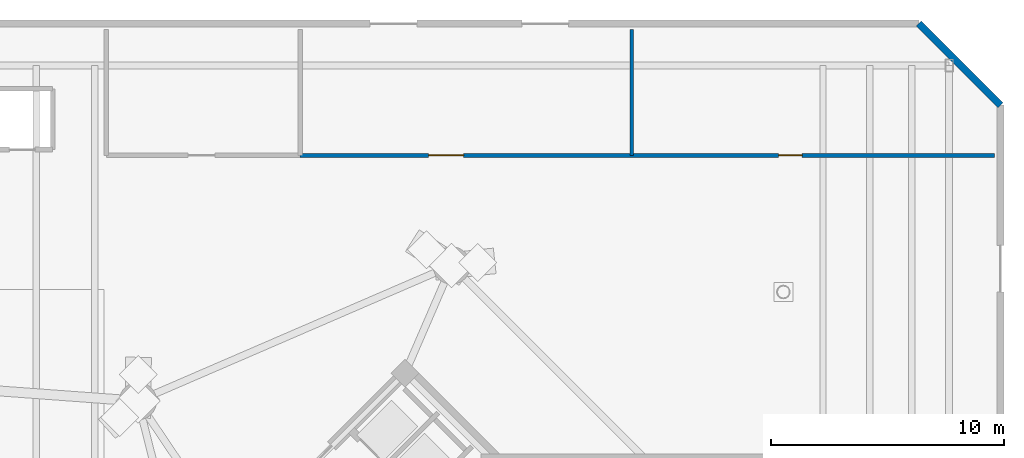
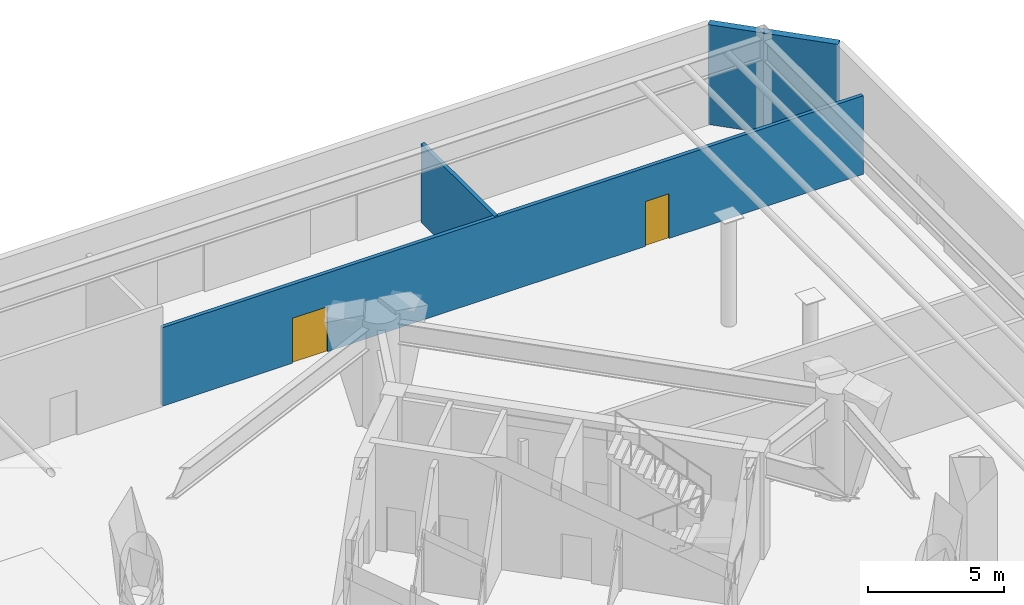
# One storey, part 10 of 17: 3 walls, 2 doors, 2 openings.
"""IFC4 building model written with IfcOpenShell, lengths in metres."""

import ifcopenshell
import ifcopenshell.guid

model = None  # the IFC model being written
_history = None  # IfcOwnerHistory: only IFC2X3 demands one
_inside = {}  # id of a spatial element -> (the spatial element, [elements in it])
_under = {}  # id of a project, library or spatial element -> (it, [spatial elements below it])
_declared = {}  # id of a project -> (the project, [libraries it declares])
_typed = {}  # id of a type object -> (the type object, [elements of that type])
_made_of = {}  # id of a material, layer set ... -> (it, [elements and type objects made of it])


def new_model(schema):
    """Start an empty IFC model of exactly this schema.

    Asked for "IFC4X3", IfcOpenShell would pick the latest addendum, in which some entities
    have other attributes; the version numbers below select the first issue.
    IFC2X3 requires an IfcOwnerHistory on every rooted entity: one is made here for all.
    """
    global model, _history
    if schema == "IFC4X3":
        model = ifcopenshell.file(schema_version=(4, 3, 0, 0))
    else:
        model = ifcopenshell.file(schema=schema)
    _inside.clear()
    _under.clear()
    _declared.clear()
    _typed.clear()
    _made_of.clear()
    _history = None
    if model.schema == "IFC2X3":
        org = make("IfcOrganization", Name="unknown")
        user = make(
            "IfcPersonAndOrganization",
            ThePerson=make("IfcPerson", FamilyName="unknown"),
            TheOrganization=org,
        )
        app = make(
            "IfcApplication",
            ApplicationDeveloper=org,
            Version="unknown",
            ApplicationFullName="unknown",
            ApplicationIdentifier="unknown",
        )
        _history = make(
            "IfcOwnerHistory",
            OwningUser=user,
            OwningApplication=app,
            ChangeAction="ADDED",
            CreationDate=0,
        )
    return model


def make(cls, **values):
    """One entity of the class cls with the attributes given. An attribute that is None is left unset."""
    return model.create_entity(
        cls, **{name: value for name, value in values.items() if value is not None}
    )


def rooted(cls, **values):
    """An entity with a GlobalId (a new one), such as an element, a storey or a relation."""
    return make(cls, GlobalId=ifcopenshell.guid.new(), OwnerHistory=_history, **values)


def si_unit(unit_type, name, prefix=None):
    """IfcSIUnit, for example si_unit("LENGTHUNIT", "METRE", prefix="MILLI")."""
    return make("IfcSIUnit", UnitType=unit_type, Prefix=prefix, Name=name)


def assignment(units):
    """IfcUnitAssignment: the units of a project."""
    return None if units is None else make("IfcUnitAssignment", Units=units)


def point(xyz):
    """IfcCartesianPoint."""
    return None if xyz is None else make("IfcCartesianPoint", Coordinates=xyz)


def direction(xyz):
    """IfcDirection."""
    return None if xyz is None else make("IfcDirection", DirectionRatios=xyz)


def frame(location, z_axis=None, x_axis=None):
    """IfcAxis2Placement3D, a coordinate frame: its origin and axes. An axis left out is left unset."""
    return make(
        "IfcAxis2Placement3D",
        Location=point(location),
        Axis=direction(z_axis),
        RefDirection=direction(x_axis),
    )


def frame_2d(location, x_axis=None):
    """IfcAxis2Placement2D, a coordinate frame in the plane: its origin and x axis."""
    return make(
        "IfcAxis2Placement2D", Location=point(location), RefDirection=direction(x_axis)
    )


def origin():
    """The frame at (0, 0, 0) with its axes left unset."""
    return frame((0.0, 0.0, 0.0))


def place(relative_to, where):
    """IfcLocalPlacement: puts the frame where relative to a parent placement (None: the world)."""
    return make(
        "IfcLocalPlacement", PlacementRelTo=relative_to, RelativePlacement=where
    )


def context(
    kind, dimensions, precision=None, world=None, true_north=None, identifier=None
):
    """IfcGeometricRepresentationContext, for example the 3D "Model" context."""
    return make(
        "IfcGeometricRepresentationContext",
        ContextIdentifier=identifier,
        ContextType=kind,
        CoordinateSpaceDimension=dimensions,
        Precision=precision,
        WorldCoordinateSystem=world,
        TrueNorth=true_north,
    )


def subcontext(parent, identifier, kind, view, scale=None):
    """IfcGeometricRepresentationSubContext, for example "Body" below "Model"."""
    return make(
        "IfcGeometricRepresentationSubContext",
        ContextIdentifier=identifier,
        ContextType=kind,
        ParentContext=parent,
        TargetScale=scale,
        TargetView=view,
    )


def project(units=None, contexts=None):
    """IfcProject with its units and contexts."""
    return rooted(
        "IfcProject",
        Name="project",
        RepresentationContexts=contexts,
        UnitsInContext=assignment(units),
    )


def spatial(cls, under=None, at=None, **own):
    """A site, building, storey or space (cls), placed at a placement, below another one or the project."""
    s = rooted(cls, ObjectPlacement=at, **own)
    if under is not None:
        _under.setdefault(under.id(), (under, []))[1].append(s)
    return s


def profile(cls, at=None, kind="AREA", **sizes):
    """A parametric profile (cls). Its sizes go by their IFC names, for example OverallWidth=200.0."""
    return make(cls, ProfileType=kind, Position=at, **sizes)


def rectangle(**sizes):
    """IfcRectangleProfileDef."""
    return profile("IfcRectangleProfileDef", **sizes)


def extrude(swept, where, along, depth):
    """IfcExtrudedAreaSolid: the profile swept, set in the frame where, extruded along a direction by depth."""
    return make(
        "IfcExtrudedAreaSolid",
        SweptArea=swept,
        Position=where,
        ExtrudedDirection=direction(along),
        Depth=depth,
    )


def shape(context_of_items, identifier, shape_type, items):
    """IfcShapeRepresentation: the items that make up one representation, for example the "Body"."""
    return make(
        "IfcShapeRepresentation",
        ContextOfItems=context_of_items,
        RepresentationIdentifier=identifier,
        RepresentationType=shape_type,
        Items=items,
    )


def source(mapping_origin, context_of_items, identifier, shape_type, items):
    """IfcRepresentationMap: a shape defined once, which mapped items show again and again."""
    return make(
        "IfcRepresentationMap",
        MappingOrigin=mapping_origin,
        MappedRepresentation=shape(context_of_items, identifier, shape_type, items),
    )


def transform(
    local_origin,
    x_axis=None,
    y_axis=None,
    z_axis=None,
    scale=None,
    scale2=None,
    scale3=None,
    uniform=True,
):
    """IfcCartesianTransformationOperator3D, or its non-uniform kind. x_axis, y_axis, z_axis: its Axis1, 2, 3."""
    if uniform:
        return make(
            "IfcCartesianTransformationOperator3D",
            Axis1=direction(x_axis),
            Axis2=direction(y_axis),
            LocalOrigin=point(local_origin),
            Scale=scale,
            Axis3=direction(z_axis),
        )
    return make(
        "IfcCartesianTransformationOperator3DnonUniform",
        Axis1=direction(x_axis),
        Axis2=direction(y_axis),
        LocalOrigin=point(local_origin),
        Scale=scale,
        Axis3=direction(z_axis),
        Scale2=scale2,
        Scale3=scale3,
    )


def mapped(mapping_source, mapping_target):
    """IfcMappedItem: shows the shape of a source again, moved by a transform."""
    return make(
        "IfcMappedItem", MappingSource=mapping_source, MappingTarget=mapping_target
    )


def material(Name=None, Category=None):
    """IfcMaterial."""
    return make("IfcMaterial", Name=Name, Category=Category)


def layer(
    of_material, thickness, ventilated=None, Name=None, Category=None, Priority=None
):
    """IfcMaterialLayer: one layer of a wall or slab, of a material (None: an air gap)."""
    return make(
        "IfcMaterialLayer",
        Material=of_material,
        LayerThickness=thickness,
        IsVentilated=ventilated,
        Name=Name,
        Category=Category,
        Priority=Priority,
    )


def layer_set(layers, Name=None):
    """IfcMaterialLayerSet."""
    return make("IfcMaterialLayerSet", MaterialLayers=layers, LayerSetName=Name)


def made_of(thing, what):
    """Note that an element or type object is made of a material, layer set ...; save() writes the relation."""
    if what is not None:
        _made_of.setdefault(what.id(), (what, []))[1].append(thing)
    return thing


def type_object(cls, material=None, **own):
    """A type object (cls), such as IfcWallType, which elements share."""
    return made_of(rooted(cls, **own), material)


def element(
    cls,
    number,
    at=None,
    inside=None,
    cuts=None,
    type_object=None,
    material=None,
    context=None,
    identifier="Body",
    shape_type=None,
    held_by="IfcProductDefinitionShape",
    body=None,
    shapes=None,
    **own,
):
    """One element of the class cls, such as IfcWall. Its Tag is "e" and its number.

    at: its placement. inside: the storey or other place that contains it. cuts: it is an
    opening in that element (IfcRelVoidsElement). A single representation is given by context,
    identifier, shape_type and body (its items); several are given by shapes. held_by: the class
    of the entity that holds the representations. save() writes the other relations.
    """
    e = rooted(cls, Tag="e%d" % number, ObjectPlacement=at, **own)
    if body is not None:
        shapes = [shape(context, identifier, shape_type, body)]
    if shapes is not None:
        e.Representation = make(held_by, Representations=shapes)
    if inside is not None:
        _inside.setdefault(inside.id(), (inside, []))[1].append(e)
    if cuts is not None:
        rooted(
            "IfcRelVoidsElement", RelatingBuildingElement=cuts, RelatedOpeningElement=e
        )
    if type_object is not None:
        _typed.setdefault(type_object.id(), (type_object, []))[1].append(e)
    return made_of(e, material)


def fill(opening, filler):
    """IfcRelFillsElement: the door or window that sits in an opening."""
    return rooted(
        "IfcRelFillsElement",
        RelatingOpeningElement=opening,
        RelatedBuildingElement=filler,
    )


def aggregate(whole, parts):
    """IfcRelAggregates: a whole, such as a stair, and the parts it consists of."""
    return rooted("IfcRelAggregates", RelatingObject=whole, RelatedObjects=parts)


def save(model, path):
    """Write the relations noted so far, then the file.

    IfcRelAggregates (storeys below a building ...), IfcRelContainedInSpatialStructure (elements
    in a storey), IfcRelDefinesByType, IfcRelAssociatesMaterial and IfcRelDeclares: one each for
    every whole, place, type object, material and project.
    """
    for whole, parts in _under.values():
        aggregate(whole, parts)
    for where, things in _inside.values():
        rooted(
            "IfcRelContainedInSpatialStructure",
            RelatedElements=things,
            RelatingStructure=where,
        )
    for kind, things in _typed.values():
        rooted("IfcRelDefinesByType", RelatedObjects=things, RelatingType=kind)
    for what, things in _made_of.values():
        rooted("IfcRelAssociatesMaterial", RelatedObjects=things, RelatingMaterial=what)
    for by, libraries in _declared.values():
        rooted("IfcRelDeclares", RelatingContext=by, RelatedDefinitions=libraries)
    model.write(path)


model = new_model("IFC4")

# Units and contexts
model_context = context("Model", 3, precision=1e-05, world=origin(), true_north=direction((0.0, 1.0)))
body_context = subcontext(model_context, "Body", "Model", "MODEL_VIEW")
ifc_project = project(units=[si_unit("LENGTHUNIT", "METRE"), si_unit("AREAUNIT", "SQUARE_METRE"), si_unit("VOLUMEUNIT", "CUBIC_METRE"), si_unit("PLANEANGLEUNIT", "RADIAN"), si_unit("MASSUNIT", "GRAM", prefix="KILO")], contexts=[model_context])

# Site, building, storey
site_placement = place(None, origin())
site = spatial("IfcSite", under=ifc_project, at=site_placement, CompositionType="ELEMENT")
building_placement = place(site_placement, origin())
building = spatial("IfcBuilding", under=site, at=building_placement, Name="Cununo Teusaquillo Station Towers", CompositionType="ELEMENT")
storey_placement = place(building_placement, origin())
storey = spatial("IfcBuildingStorey", under=building, at=storey_placement, Name="L00", CompositionType="ELEMENT", Elevation=0.0)

# Wall
ifc_material_1 = material(Name="Precast concrete C40/50", Category="concrete")
ifc_layer_1 = layer(ifc_material_1, 0.300048828125)
ifc_layer_set_1 = layer_set([ifc_layer_1], Name="Precast concrete C40/50")
wall_type_1 = type_object("IfcWallType", Name="WL-EXT-300", PredefinedType="SOLIDWALL", material=ifc_layer_set_1)
wall_1_placement = place(storey_placement, frame((78.300048828125, 48.0, 0.0), z_axis=(0.0, 0.0, 1.0), x_axis=(0.707106781187, -0.707106781187, 0.0)))
element("IfcWall", 1, at=wall_1_placement, inside=storey, type_object=wall_type_1, Name="L00 Station Podium Facade Wall 4", PredefinedType="SOLIDWALL", context=body_context, shape_type="SweptSolid", body=[
    extrude(rectangle(XDim=4.94970703125, YDim=0.300048828125, at=frame_2d((2.474853515625, 0.0))), origin(), (0.0, 0.0, 1.0), 4.485107421875),
])

# Wall, openings, doors
ifc_material_2 = material(Name="Fire-rated gypsum plasterboard partition assembly", Category="gypsum")
ifc_layer_2 = layer(ifc_material_2, 0.159912109375)
ifc_layer_set_2 = layer_set([ifc_layer_2], Name="Fire-rated gypsum plasterboard partition assembly")
wall_type_2 = type_object("IfcWallType", Name="WL-PART-160", PredefinedType="PARTITIONING", material=ifc_layer_set_2)
wall_2_placement = place(storey_placement, frame((51.800048828125, 42.35009765625, 0.0), z_axis=(0.0, 0.0, 1.0), x_axis=(1.0, 0.0, 0.0)))
wall_2 = element("IfcWall", 2, at=wall_2_placement, inside=storey, type_object=wall_type_2, Name="L00 Station Ticketing & Retail Wall", PredefinedType="PARTITIONING", context=body_context, shape_type="SweptSolid", body=[
    extrude(rectangle(XDim=29.75, YDim=0.159912109375, at=frame_2d((14.875, 0.0))), origin(), (0.0, 0.0, 1.0), 3.529052734375),
])
shared_shape_1 = source(origin(), body_context, "Body", "SweptSolid", [
    extrude(rectangle(XDim=1.5, YDim=2.02001953125, at=frame_2d((0.75, 1.010009765625))), frame((0.0, 0.08984375, 0.0), z_axis=(0.0, -1.0, 0.0), x_axis=(1.0, 0.0, 0.0)), (0.0, 0.0, 1.0), 0.179931640625),
])
opening_1_placement = place(wall_2_placement, frame((5.5, 0.0, 0.0)))
opening_1 = element("IfcOpeningElement", 3, at=opening_1_placement, cuts=wall_2, Name="Opening D-LB1", PredefinedType="OPENING", context=body_context, shape_type="MappedRepresentation", body=[
    mapped(shared_shape_1, transform((0.0, 0.0, 0.0), x_axis=(1.0, 0.0, 0.0), y_axis=(0.0, 1.0, 0.0), z_axis=(0.0, 0.0, 1.0), scale=1.0)),
])
shared_shape_2 = source(origin(), body_context, "Body", "SweptSolid", [
    extrude(rectangle(XDim=1.0, YDim=2.014892578125, at=frame_2d((0.5, 1.00732421875))), frame((0.0, 0.08984375, 0.0), z_axis=(0.0, -1.0, 0.0), x_axis=(1.0, 0.0, 0.0)), (0.0, 0.0, 1.0), 0.179931640625),
])
opening_2_placement = place(wall_2_placement, frame((20.5, 0.0, 0.0)))
opening_2 = element("IfcOpeningElement", 4, at=opening_2_placement, cuts=wall_2, Name="Opening D-AC1", PredefinedType="OPENING", context=body_context, shape_type="MappedRepresentation", body=[
    mapped(shared_shape_2, transform((0.0, 0.0, 0.0), x_axis=(1.0, 0.0, 0.0), y_axis=(0.0, 1.0, 0.0), z_axis=(0.0, 0.0, 1.0), scale=1.0)),
])
ifc_material_3 = material(Name="Galvanised fire-rated hollow steel door assembly", Category="steel")
door_type_1 = type_object("IfcDoorType", Name="DR-LOBBY-1500", OperationType="DOUBLE_DOOR_SINGLE_SWING", PredefinedType="DOOR", material=ifc_material_3)
shared_shape_3 = source(origin(), body_context, "Body", "SweptSolid", [
    extrude(rectangle(XDim=1.5, YDim=2.02001953125, at=frame_2d((0.75, 1.010009765625))), frame((0.0, 0.02490234375, 0.0), z_axis=(0.0, -1.0, 0.0), x_axis=(1.0, 0.0, 0.0)), (0.0, 0.0, 1.0), 0.050048828125),
])
door_1_placement = place(opening_1_placement, origin())
door_1 = element("IfcDoor", 5, at=door_1_placement, inside=storey, type_object=door_type_1, Name="Metro Fare-Gate & Ticketing Office Door", OperationType="DOUBLE_DOOR_SINGLE_SWING", OverallHeight=2.02001953125, OverallWidth=1.5, PredefinedType="DOOR", context=body_context, shape_type="MappedRepresentation", body=[
    mapped(shared_shape_3, transform((0.0, 0.0, 0.0), x_axis=(1.0, 0.0, 0.0), y_axis=(0.0, 1.0, 0.0), z_axis=(0.0, 0.0, 1.0), scale=1.0)),
])
fill(opening_1, door_1)
ifc_material_4 = material(Name="Acoustic solid-core hardwood leaf assembly", Category="wood")
door_type_2 = type_object("IfcDoorType", Name="DR-ACC-1000", OperationType="NOTDEFINED", PredefinedType="DOOR", material=ifc_material_4)
shared_shape_4 = source(origin(), body_context, "Body", "SweptSolid", [
    extrude(rectangle(XDim=1.0, YDim=2.014892578125, at=frame_2d((0.5, 1.00732421875))), frame((0.0, 0.02490234375, 0.0), z_axis=(0.0, -1.0, 0.0), x_axis=(1.0, 0.0, 0.0)), (0.0, 0.0, 1.0), 0.050048828125),
])
door_2_placement = place(opening_2_placement, origin())
door_2 = element("IfcDoor", 6, at=door_2_placement, inside=storey, type_object=door_type_2, Name="Station Concourse Public Accessible Restroom Door", OperationType="SINGLE_SWING_LEFT", OverallHeight=2.014892578125, OverallWidth=1.0, PredefinedType="DOOR", context=body_context, shape_type="MappedRepresentation", body=[
    mapped(shared_shape_4, transform((0.0, 0.0, 0.0), x_axis=(1.0, 0.0, 0.0), y_axis=(0.0, 1.0, 0.0), z_axis=(0.0, 0.0, 1.0), scale=1.0)),
])
fill(opening_2, door_2)

# Wall
wall_3_placement = place(storey_placement, frame((66.0, 42.35009765625, 0.0), z_axis=(0.0, 0.0, 1.0), x_axis=(0.0, 1.0, 0.0)))
element("IfcWall", 7, at=wall_3_placement, inside=storey, type_object=wall_type_2, Name="L00 Station Ticketing & WC Divider Wall", PredefinedType="PARTITIONING", context=body_context, shape_type="SweptSolid", body=[
    extrude(rectangle(XDim=5.39990234375, YDim=0.159912109375, at=frame_2d((2.699951171875, 0.0))), origin(), (0.0, 0.0, 1.0), 3.529052734375),
])

save(model, "model.ifc")
